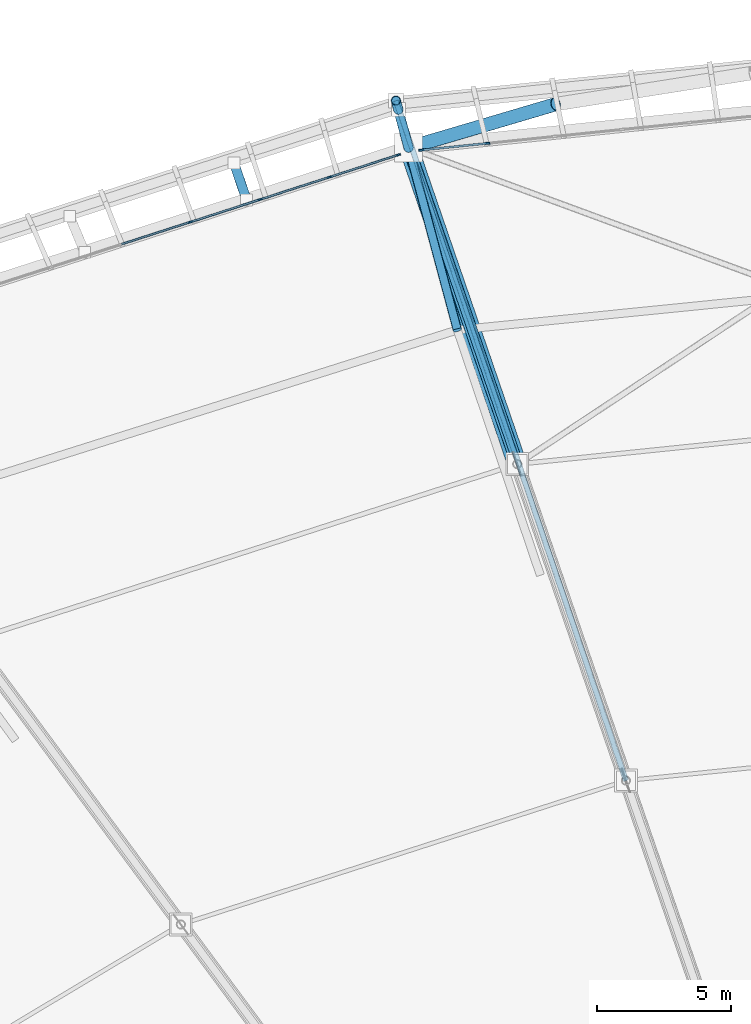
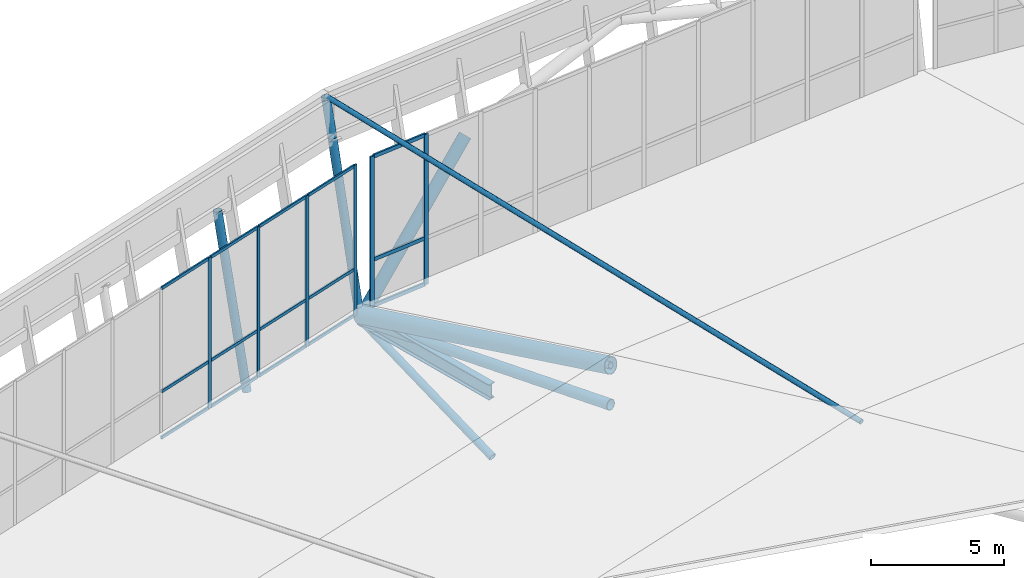
# One storey, part 68 of 115: 30 members, 1 beam, 2 elements without a shape of their own.
"""IFC4 building model written with IfcOpenShell, lengths in metres."""

from ifc_helpers import new_model, si_unit, direction, frame, origin, origin_2d, place, context, subcontext, project, spatial, rectangle, hollow_circle, i_section, extrude, material, material_profile, profile_set, type_object, element, aggregate, save


model = new_model("IFC4")

# Units and contexts
model_context = context("Model", 3, precision=1e-05, world=origin(), true_north=direction((0.0, 1.0)))
body_context = subcontext(model_context, "Body", "Model", "MODEL_VIEW")
ifc_project = project(units=[si_unit("LENGTHUNIT", "METRE"), si_unit("AREAUNIT", "SQUARE_METRE"), si_unit("VOLUMEUNIT", "CUBIC_METRE"), si_unit("PLANEANGLEUNIT", "RADIAN"), si_unit("MASSUNIT", "GRAM", prefix="KILO")], contexts=[model_context])

# Site, building, storey
site_placement = place(None, origin())
site = spatial("IfcSite", under=ifc_project, at=site_placement, CompositionType="ELEMENT")
building_placement = place(site_placement, origin())
building = spatial("IfcBuilding", under=site, at=building_placement, Name="Zlatoyarsky Gate Stadium", CompositionType="ELEMENT")
storey_placement = place(building_placement, frame((0.0, 0.0, 31.800048828125)))
storey = spatial("IfcBuildingStorey", under=building, at=storey_placement, Name="RF", CompositionType="ELEMENT", Elevation=31.800048828125)

# Curtain wall, members
ifc_material_1 = material(Name="Thermally broken anodised aluminium curtain wall", Category="aluminium")
curtain_wall_type_1 = type_object("IfcCurtainWallType", Name="MONUMENTAL ARCHED GATE GLAZING UPPER", PredefinedType="USERDEFINED", material=ifc_material_1)
curtain_wall_1_placement = place(storey_placement, origin())
curtain_wall_1 = element("IfcCurtainWall", 1, at=curtain_wall_1_placement, inside=storey, type_object=curtain_wall_type_1, Name="Curtain wall CW-RF-06", ObjectType="ARCHED GATE GLAZING", PredefinedType="USERDEFINED")
ifc_material_2 = material(Name="Anodised aluminium 6063-T6", Category="aluminium")
ifc_material_profile_1 = material_profile(ifc_material_2, rectangle(XDim=0.074951171875, YDim=0.18994140625, at=origin_2d()), Name="ALU 75X190")
ifc_profile_set_1 = profile_set([ifc_material_profile_1], Name="Anodised aluminium 6063-T6")
member_type_1 = type_object("IfcMemberType", Name="ALUMINIUM GATE MULLION 75X190", PredefinedType="MULLION", material=ifc_profile_set_1)
member_1_placement = place(storey_placement, frame((88.05078125, 155.53173828125, 0.0), z_axis=(0.0, 0.0, 1.0), x_axis=(0.102125168703, -0.994771556649, 0.0)))
member_1 = element("IfcMember", 2, at=member_1_placement, type_object=member_type_1, Name="CW-AG2 mullion 10", PredefinedType="MULLION", context=body_context, shape_type="SweptSolid", body=[
    extrude(rectangle(XDim=0.074951171875, YDim=0.18994140625, at=origin_2d()), origin(), (0.0, 0.0, 1.0), 6.89990234375),
])
member_2_placement = place(storey_placement, frame((85.58251953125, 155.2783203125, 0.0), z_axis=(0.0, 0.0, 1.0), x_axis=(0.102125168703, -0.994771556649, 0.0)))
member_2 = element("IfcMember", 3, at=member_2_placement, type_object=member_type_1, Name="CW-AG2 mullion 11", PredefinedType="MULLION", context=body_context, shape_type="SweptSolid", body=[
    extrude(rectangle(XDim=0.074951171875, YDim=0.18994140625, at=origin_2d()), origin(), (0.0, 0.0, 1.0), 6.89990234375),
])
ifc_material_profile_2 = material_profile(ifc_material_2, rectangle(XDim=0.074951171875, YDim=0.169921875, at=origin_2d()), Name="ALU 75X170")
ifc_profile_set_2 = profile_set([ifc_material_profile_2], Name="Anodised aluminium 6063-T6")
member_type_2 = type_object("IfcMemberType", Name="ALUMINIUM GATE TRANSOM 75X170", PredefinedType="USERDEFINED", material=ifc_profile_set_2)
member_3_placement = place(storey_placement, frame((88.013427734375, 155.52783203125, 0.037353515625), z_axis=(-0.994767435445, -0.102165304181, 0.0), x_axis=(0.102165304181, -0.994767435445, 0.0)))
member_3 = element("IfcMember", 4, at=member_3_placement, type_object=member_type_2, Name="CW-AG2 transom 10.1", ObjectType="TRANSOM", PredefinedType="USERDEFINED", context=body_context, shape_type="SweptSolid", body=[
    extrude(rectangle(XDim=0.074951171875, YDim=0.169921875, at=origin_2d()), origin(), (0.0, 0.0, 1.0), 2.406494140625),
])
member_4_placement = place(storey_placement, frame((88.013427734375, 155.52783203125, 2.14990234375), z_axis=(-0.994767435445, -0.102165304181, 0.0), x_axis=(0.102165304181, -0.994767435445, 0.0)))
member_4 = element("IfcMember", 5, at=member_4_placement, type_object=member_type_2, Name="CW-AG2 transom 10.2", ObjectType="TRANSOM", PredefinedType="USERDEFINED", context=body_context, shape_type="SweptSolid", body=[
    extrude(rectangle(XDim=0.074951171875, YDim=0.169921875, at=origin_2d()), origin(), (0.0, 0.0, 1.0), 2.406494140625),
])
member_5_placement = place(storey_placement, frame((88.013427734375, 155.52783203125, 6.862548828125), z_axis=(-0.994767435445, -0.102165304181, 0.0), x_axis=(0.102165304181, -0.994767435445, 0.0)))
member_5 = element("IfcMember", 6, at=member_5_placement, type_object=member_type_2, Name="CW-AG2 transom 10.3", ObjectType="TRANSOM", PredefinedType="USERDEFINED", context=body_context, shape_type="SweptSolid", body=[
    extrude(rectangle(XDim=0.074951171875, YDim=0.169921875, at=origin_2d()), origin(), (0.0, 0.0, 1.0), 2.406494140625),
])
aggregate(curtain_wall_1, [member_1, member_2, member_3, member_4, member_5])

curtain_wall_type_2 = type_object("IfcCurtainWallType", Name="UNITISED SKYBOX RING GLAZING L05", PredefinedType="USERDEFINED", material=ifc_material_1)
curtain_wall_2_placement = place(storey_placement, origin())
curtain_wall_2 = element("IfcCurtainWall", 7, at=curtain_wall_2_placement, inside=storey, type_object=curtain_wall_type_2, Name="Curtain wall CW-RF-07", ObjectType="UNITISED GLAZING", PredefinedType="USERDEFINED")
ifc_material_profile_3 = material_profile(ifc_material_2, rectangle(XDim=0.06494140625, YDim=0.159912109375, at=origin_2d()), Name="ALU 65X160")
ifc_profile_set_3 = profile_set([ifc_material_profile_3], Name="Anodised aluminium 6063-T6")
member_type_3 = type_object("IfcMemberType", Name="ALUMINIUM MULLION 65X160", PredefinedType="MULLION", material=ifc_profile_set_3)
member_6_placement = place(storey_placement, frame((84.735595703125, 155.100830078125, 0.0), z_axis=(0.0, 0.0, 1.0), x_axis=(0.307352182475, -0.951595836439, 0.0)))
member_6 = element("IfcMember", 8, at=member_6_placement, type_object=member_type_3, Name="CW-UG5 mullion 1", PredefinedType="MULLION", context=body_context, shape_type="SweptSolid", body=[
    extrude(rectangle(XDim=0.06494140625, YDim=0.159912109375, at=origin_2d()), origin(), (0.0, 0.0, 1.0), 6.89990234375),
])
member_7_placement = place(storey_placement, frame((82.17431640625, 154.2734375, 0.0), z_axis=(0.0, 0.0, 1.0), x_axis=(0.307352182475, -0.951595836439, 0.0)))
member_7 = element("IfcMember", 9, at=member_7_placement, type_object=member_type_3, Name="CW-UG5 mullion 2", PredefinedType="MULLION", context=body_context, shape_type="SweptSolid", body=[
    extrude(rectangle(XDim=0.06494140625, YDim=0.159912109375, at=origin_2d()), origin(), (0.0, 0.0, 1.0), 6.89990234375),
])
member_8_placement = place(storey_placement, frame((79.582275390625, 153.436279296875, 0.0), z_axis=(0.0, 0.0, 1.0), x_axis=(0.307352182475, -0.951595836439, 0.0)))
member_8 = element("IfcMember", 10, at=member_8_placement, type_object=member_type_3, Name="CW-UG5 mullion 3", PredefinedType="MULLION", context=body_context, shape_type="SweptSolid", body=[
    extrude(rectangle(XDim=0.06494140625, YDim=0.159912109375, at=origin_2d()), origin(), (0.0, 0.0, 1.0), 6.89990234375),
])
member_9_placement = place(storey_placement, frame((76.989990234375, 152.598876953125, 0.0), z_axis=(0.0, 0.0, 1.0), x_axis=(0.307352182475, -0.951595836439, 0.0)))
member_9 = element("IfcMember", 11, at=member_9_placement, type_object=member_type_3, Name="CW-UG5 mullion 4", PredefinedType="MULLION", context=body_context, shape_type="SweptSolid", body=[
    extrude(rectangle(XDim=0.06494140625, YDim=0.159912109375, at=origin_2d()), origin(), (0.0, 0.0, 1.0), 6.89990234375),
])
ifc_material_profile_4 = material_profile(ifc_material_2, rectangle(XDim=0.06494140625, YDim=0.139892578125, at=origin_2d()), Name="ALU 65X140")
ifc_profile_set_4 = profile_set([ifc_material_profile_4], Name="Anodised aluminium 6063-T6")
member_type_4 = type_object("IfcMemberType", Name="ALUMINIUM TRANSOM 65X140", PredefinedType="USERDEFINED", material=ifc_profile_set_4)
member_10_placement = place(storey_placement, frame((84.704833984375, 155.0908203125, 0.032470703125), z_axis=(-0.951588529008, -0.307374806157, 0.0), x_axis=(0.307374806157, -0.951588529008, 0.0)))
member_10 = element("IfcMember", 12, at=member_10_placement, type_object=member_type_4, Name="CW-UG5 transom 1.1", ObjectType="TRANSOM", PredefinedType="USERDEFINED", context=body_context, shape_type="SweptSolid", body=[
    extrude(rectangle(XDim=0.06494140625, YDim=0.139892578125, at=origin_2d()), origin(), (0.0, 0.0, 1.0), 2.626708984375),
])
member_11_placement = place(storey_placement, frame((84.704833984375, 155.0908203125, 2.14990234375), z_axis=(-0.951588529008, -0.307374806157, 0.0), x_axis=(0.307374806157, -0.951588529008, 0.0)))
member_11 = element("IfcMember", 13, at=member_11_placement, type_object=member_type_4, Name="CW-UG5 transom 1.2", ObjectType="TRANSOM", PredefinedType="USERDEFINED", context=body_context, shape_type="SweptSolid", body=[
    extrude(rectangle(XDim=0.06494140625, YDim=0.139892578125, at=origin_2d()), origin(), (0.0, 0.0, 1.0), 2.626708984375),
])
member_12_placement = place(storey_placement, frame((84.704833984375, 155.0908203125, 6.867431640625), z_axis=(-0.951588529008, -0.307374806157, 0.0), x_axis=(0.307374806157, -0.951588529008, 0.0)))
member_12 = element("IfcMember", 14, at=member_12_placement, type_object=member_type_4, Name="CW-UG5 transom 1.3", ObjectType="TRANSOM", PredefinedType="USERDEFINED", context=body_context, shape_type="SweptSolid", body=[
    extrude(rectangle(XDim=0.06494140625, YDim=0.139892578125, at=origin_2d()), origin(), (0.0, 0.0, 1.0), 2.626708984375),
])
member_13_placement = place(storey_placement, frame((82.1435546875, 154.263427734375, 0.032470703125), z_axis=(-0.951615985175, -0.307289792801, 0.0), x_axis=(0.307289792801, -0.951615985175, 0.0)))
member_13 = element("IfcMember", 15, at=member_13_placement, type_object=member_type_4, Name="CW-UG5 transom 2.1", ObjectType="TRANSOM", PredefinedType="USERDEFINED", context=body_context, shape_type="SweptSolid", body=[
    extrude(rectangle(XDim=0.06494140625, YDim=0.139892578125, at=origin_2d()), origin(), (0.0, 0.0, 1.0), 2.6591796875),
])
member_14_placement = place(storey_placement, frame((82.1435546875, 154.263427734375, 2.14990234375), z_axis=(-0.951615985175, -0.307289792801, 0.0), x_axis=(0.307289792801, -0.951615985175, 0.0)))
member_14 = element("IfcMember", 16, at=member_14_placement, type_object=member_type_4, Name="CW-UG5 transom 2.2", ObjectType="TRANSOM", PredefinedType="USERDEFINED", context=body_context, shape_type="SweptSolid", body=[
    extrude(rectangle(XDim=0.06494140625, YDim=0.139892578125, at=origin_2d()), origin(), (0.0, 0.0, 1.0), 2.6591796875),
])
member_15_placement = place(storey_placement, frame((82.1435546875, 154.263427734375, 6.867431640625), z_axis=(-0.951615985175, -0.307289792801, 0.0), x_axis=(0.307289792801, -0.951615985175, 0.0)))
member_15 = element("IfcMember", 17, at=member_15_placement, type_object=member_type_4, Name="CW-UG5 transom 2.3", ObjectType="TRANSOM", PredefinedType="USERDEFINED", context=body_context, shape_type="SweptSolid", body=[
    extrude(rectangle(XDim=0.06494140625, YDim=0.139892578125, at=origin_2d()), origin(), (0.0, 0.0, 1.0), 2.6591796875),
])
member_16_placement = place(storey_placement, frame((79.55126953125, 153.42626953125, 0.032470703125), z_axis=(-0.951580459921, -0.307399785779, 0.0), x_axis=(0.307399785779, -0.951580459921, 0.0)))
member_16 = element("IfcMember", 18, at=member_16_placement, type_object=member_type_4, Name="CW-UG5 transom 3.1", ObjectType="TRANSOM", PredefinedType="USERDEFINED", context=body_context, shape_type="SweptSolid", body=[
    extrude(rectangle(XDim=0.06494140625, YDim=0.139892578125, at=origin_2d()), origin(), (0.0, 0.0, 1.0), 2.658935546875),
])
member_17_placement = place(storey_placement, frame((79.55126953125, 153.42626953125, 2.14990234375), z_axis=(-0.951580459921, -0.307399785779, 0.0), x_axis=(0.307399785779, -0.951580459921, 0.0)))
member_17 = element("IfcMember", 19, at=member_17_placement, type_object=member_type_4, Name="CW-UG5 transom 3.2", ObjectType="TRANSOM", PredefinedType="USERDEFINED", context=body_context, shape_type="SweptSolid", body=[
    extrude(rectangle(XDim=0.06494140625, YDim=0.139892578125, at=origin_2d()), origin(), (0.0, 0.0, 1.0), 2.658935546875),
])
member_18_placement = place(storey_placement, frame((79.55126953125, 153.42626953125, 6.867431640625), z_axis=(-0.951580459921, -0.307399785779, 0.0), x_axis=(0.307399785779, -0.951580459921, 0.0)))
member_18 = element("IfcMember", 20, at=member_18_placement, type_object=member_type_4, Name="CW-UG5 transom 3.3", ObjectType="TRANSOM", PredefinedType="USERDEFINED", context=body_context, shape_type="SweptSolid", body=[
    extrude(rectangle(XDim=0.06494140625, YDim=0.139892578125, at=origin_2d()), origin(), (0.0, 0.0, 1.0), 2.658935546875),
])
member_19_placement = place(storey_placement, frame((76.958984375, 152.5888671875, 0.032470703125), z_axis=(-0.951607314646, -0.307316642428, 0.0), x_axis=(0.307316642428, -0.951607314646, 0.0)))
member_19 = element("IfcMember", 21, at=member_19_placement, type_object=member_type_4, Name="CW-UG5 transom 4.1", ObjectType="TRANSOM", PredefinedType="USERDEFINED", context=body_context, shape_type="SweptSolid", body=[
    extrude(rectangle(XDim=0.06494140625, YDim=0.139892578125, at=origin_2d()), origin(), (0.0, 0.0, 1.0), 2.658935546875),
])
member_20_placement = place(storey_placement, frame((76.958984375, 152.5888671875, 2.14990234375), z_axis=(-0.951607314646, -0.307316642428, 0.0), x_axis=(0.307316642428, -0.951607314646, 0.0)))
member_20 = element("IfcMember", 22, at=member_20_placement, type_object=member_type_4, Name="CW-UG5 transom 4.2", ObjectType="TRANSOM", PredefinedType="USERDEFINED", context=body_context, shape_type="SweptSolid", body=[
    extrude(rectangle(XDim=0.06494140625, YDim=0.139892578125, at=origin_2d()), origin(), (0.0, 0.0, 1.0), 2.658935546875),
])
member_21_placement = place(storey_placement, frame((76.958984375, 152.5888671875, 6.867431640625), z_axis=(-0.951607314646, -0.307316642428, 0.0), x_axis=(0.307316642428, -0.951607314646, 0.0)))
member_21 = element("IfcMember", 23, at=member_21_placement, type_object=member_type_4, Name="CW-UG5 transom 4.3", ObjectType="TRANSOM", PredefinedType="USERDEFINED", context=body_context, shape_type="SweptSolid", body=[
    extrude(rectangle(XDim=0.06494140625, YDim=0.139892578125, at=origin_2d()), origin(), (0.0, 0.0, 1.0), 2.658935546875),
])
aggregate(curtain_wall_2, [member_6, member_7, member_8, member_9, member_10, member_11, member_12, member_13, member_14, member_15, member_16, member_17, member_18, member_19, member_20, member_21])

# Members
ifc_material_3 = material(Name="Steel S355", Category="steel")
ifc_material_profile_5 = material_profile(ifc_material_3, hollow_circle(Radius=0.228515625, WallThickness=0.02490234375, at=origin_2d()), Name="CHS 457X25")
ifc_profile_set_5 = profile_set([ifc_material_profile_5], Name="Steel S355")
member_type_5 = type_object("IfcMemberType", Name="STEEL ARCH BOTTOM CHORD CHS 457X25", PredefinedType="CHORD", material=ifc_profile_set_5)
member_22_placement = place(storey_placement, frame((85.11083984375, 155.368896484375, -0.449951171875), z_axis=(0.321535505122, -0.936049276956, 0.142921901945), x_axis=(0.945758462386, 0.324870637063, 0.0)))
element("IfcMember", 24, at=member_22_placement, inside=storey, type_object=member_type_5, Name="Radial truss R08 bottom chord 1", PredefinedType="CHORD", context=body_context, shape_type="SweptSolid", body=[
    extrude(hollow_circle(Radius=0.228515625, WallThickness=0.02490234375, at=origin_2d()), origin(), (0.0, 0.0, 1.0), 12.593017578125),
])
ifc_material_profile_6 = material_profile(ifc_material_3, hollow_circle(Radius=0.25390625, WallThickness=0.02490234375, at=origin_2d()), Name="CHS 508X25")
ifc_profile_set_6 = profile_set([ifc_material_profile_6], Name="Steel S355")
member_type_6 = type_object("IfcMemberType", Name="STEEL ARCH TOP CHORD CHS 508X25", PredefinedType="CHORD", material=ifc_profile_set_6)
member_23_placement = place(storey_placement, frame((90.592041015625, 156.98779296875, 5.050048828125), z_axis=(-0.69102002414, -0.204104845437, -0.693420895493), x_axis=(0.283269347472, -0.959040393718, 0.0)))
element("IfcMember", 25, at=member_23_placement, inside=storey, type_object=member_type_6, Name="Monumental gate portal arch chord 06-4", PredefinedType="CHORD", context=body_context, shape_type="SweptSolid", body=[
    extrude(hollow_circle(Radius=0.25390625, WallThickness=0.02490234375, at=origin_2d()), origin(), (0.0, 0.0, 1.0), 7.931640625),
])
ifc_material_profile_7 = material_profile(ifc_material_3, hollow_circle(Radius=0.35546875, WallThickness=0.031982421875, at=origin_2d()), Name="CHS 711X32")
ifc_profile_set_7 = profile_set([ifc_material_profile_7], Name="Steel S355")
member_type_7 = type_object("IfcMemberType", Name="STEEL ARCH TOP CHORD CHS 711X32", PredefinedType="CHORD", material=ifc_profile_set_7)
member_24_placement = place(storey_placement, frame((85.11083984375, 155.368896484375, -0.25), z_axis=(0.313418799515, -0.912420046921, 0.263169743868), x_axis=(0.945758462386, 0.324870637063, 0.0)))
element("IfcMember", 26, at=member_24_placement, inside=storey, type_object=member_type_7, Name="Radial truss R08 top chord 1", PredefinedType="CHORD", context=body_context, shape_type="SweptSolid", body=[
    extrude(hollow_circle(Radius=0.35546875, WallThickness=0.031982421875, at=origin_2d()), origin(), (0.0, 0.0, 1.0), 12.9189453125),
])
ifc_material_profile_8 = material_profile(ifc_material_3, hollow_circle(Radius=0.109619140625, WallThickness=0.012451171875, at=origin_2d()), Name="CHS 219.1X12.5")
ifc_profile_set_8 = profile_set([ifc_material_profile_8], Name="Steel S355")
member_type_8 = type_object("IfcMemberType", Name="STEEL CANOPY WIND BRACE CHS 219.1X12.5", PredefinedType="BRACE", material=ifc_profile_set_8)
member_25_placement = place(storey_placement, frame((84.640869140625, 157.12353515625, 8.849853515625), z_axis=(0.318976741373, -0.942996861973, -0.094925006038), x_axis=(0.947274349004, 0.320423637889, 0.0)))
element("IfcMember", 27, at=member_25_placement, inside=storey, type_object=member_type_8, Name="Crown fascia tie brace 07", PredefinedType="BRACE", context=body_context, shape_type="SweptSolid", body=[
    extrude(hollow_circle(Radius=0.109619140625, WallThickness=0.012451171875, at=origin_2d()), origin(), (0.0, 0.0, 1.0), 26.861328125),
])
ifc_material_profile_9 = material_profile(ifc_material_3, hollow_circle(Radius=0.177734375, WallThickness=0.02001953125, at=origin_2d()), Name="CHS 355.6X20")
ifc_profile_set_9 = profile_set([ifc_material_profile_9], Name="Steel S355")
member_type_9 = type_object("IfcMemberType", Name="STEEL LEANING RIB RING STRUT CHS 355.6X20", PredefinedType="STRUT", material=ifc_profile_set_9)
member_26_placement = place(storey_placement, frame((85.11083984375, 155.368896484375, -0.449951171875), z_axis=(-0.049047187534, 0.183162069458, 0.981858457063), x_axis=(-0.965966608807, -0.258666794678, 0.0)))
element("IfcMember", 28, at=member_26_placement, inside=storey, type_object=member_type_9, Name="Outward-leaning crown fascia lower post 07", PredefinedType="STRUT", context=body_context, shape_type="SweptSolid", body=[
    extrude(hollow_circle(Radius=0.177734375, WallThickness=0.02001953125, at=origin_2d()), origin(), (0.0, 0.0, 1.0), 7.740234375),
])
member_27_placement = place(storey_placement, frame((84.731201171875, 156.78662109375, 7.14990234375), z_axis=(-0.052053505922, 0.194145508575, 0.979590707398), x_axis=(-0.965885549343, -0.258969313954, 0.0)))
element("IfcMember", 29, at=member_27_placement, inside=storey, type_object=member_type_9, Name="Outward-leaning crown fascia upper post 07", PredefinedType="STRUT", context=body_context, shape_type="SweptSolid", body=[
    extrude(hollow_circle(Radius=0.177734375, WallThickness=0.02001953125, at=origin_2d()), origin(), (0.0, 0.0, 1.0), 1.7353515625),
])
member_28_placement = place(storey_placement, frame((79.079833984375, 153.420166015625, -0.449951171875), z_axis=(-0.060542035994, 0.178471233777, 0.982080791275), x_axis=(-0.946995980131, -0.321245410265, 0.0)))
element("IfcMember", 30, at=member_28_placement, inside=storey, type_object=member_type_9, Name="Outward-leaning bowl louvre fin rib RF 07-1", PredefinedType="STRUT", context=body_context, shape_type="SweptSolid", body=[
    extrude(hollow_circle(Radius=0.177734375, WallThickness=0.02001953125, at=origin_2d()), origin(), (0.0, 0.0, 1.0), 7.738525390625),
])

# Beam
ifc_material_profile_10 = material_profile(ifc_material_3, i_section(OverallWidth=0.300048828125, OverallDepth=0.699951171875, WebThickness=0.01708984375, FlangeThickness=0.031982421875, FilletRadius=0.027099609375, at=origin_2d()), Name="HEB 700")
ifc_profile_set_10 = profile_set([ifc_material_profile_10], Name="Steel S355")
beam_type = type_object("IfcBeamType", Name="STEEL ROOF RING GIRDER HEB 700", PredefinedType="BEAM", material=ifc_profile_set_10)
beam_placement = place(storey_placement, frame((86.91943359375, 148.619384765625, -0.300048828125), z_axis=(-0.258795463889, 0.965932144548, 0.0), x_axis=(-0.965932144548, -0.258795463889, 0.0)))
element("IfcBeam", 31, at=beam_placement, inside=storey, type_object=beam_type, Name="RF roof tie girder BM-RF-COUT-07", PredefinedType="BEAM", context=body_context, shape_type="SweptSolid", body=[
    extrude(i_section(OverallWidth=0.300048828125, OverallDepth=0.699951171875, WebThickness=0.01708984375, FlangeThickness=0.031982421875, FilletRadius=0.027099609375, at=origin_2d()), origin(), (0.0, 0.0, 1.0), 6.987548828125),
])

# Members
ifc_material_profile_11 = material_profile(ifc_material_3, hollow_circle(Radius=0.136474609375, WallThickness=0.01611328125, at=origin_2d()), Name="CHS 273X16")
ifc_profile_set_11 = profile_set([ifc_material_profile_11], Name="Steel S355")
member_type_10 = type_object("IfcMemberType", Name="STEEL ROOF TRUSS DIAGONAL CHS 273X16", PredefinedType="BRACE", material=ifc_profile_set_11)
member_29_placement = place(storey_placement, frame((85.11083984375, 155.368896484375, -0.449951171875), z_axis=(0.312112869428, -0.908618243095, 0.277485936673), x_axis=(0.945758462386, 0.324870637063, 0.0)))
element("IfcMember", 32, at=member_29_placement, inside=storey, type_object=member_type_10, Name="Radial truss R08 web diagonal 1", PredefinedType="BRACE", context=body_context, shape_type="SweptSolid", body=[
    extrude(hollow_circle(Radius=0.136474609375, WallThickness=0.01611328125, at=origin_2d()), origin(), (0.0, 0.0, 1.0), 12.97314453125),
])
ifc_material_profile_12 = material_profile(ifc_material_3, hollow_circle(Radius=0.161865234375, WallThickness=0.01611328125, at=origin_2d()), Name="CHS 323.9X16")
ifc_profile_set_12 = profile_set([ifc_material_profile_12], Name="Steel S355")
member_type_11 = type_object("IfcMemberType", Name="STEEL TRUSS WEB STRUT CHS 323.9X16", PredefinedType="STRUT", material=ifc_profile_set_12)
member_30_placement = place(storey_placement, frame((86.9296875, 148.580810546875, -3.300048828125), z_axis=(-0.239842975893, 0.895113302245, 0.375829114171), x_axis=(-0.965926341718, -0.258817121486, 0.0)))
element("IfcMember", 33, at=member_30_placement, inside=storey, type_object=member_type_11, Name="Arch heel prop 07", PredefinedType="STRUT", context=body_context, shape_type="SweptSolid", body=[
    extrude(hollow_circle(Radius=0.161865234375, WallThickness=0.01611328125, at=origin_2d()), origin(), (0.0, 0.0, 1.0), 7.58349609375),
])

save(model, "model.ifc")
